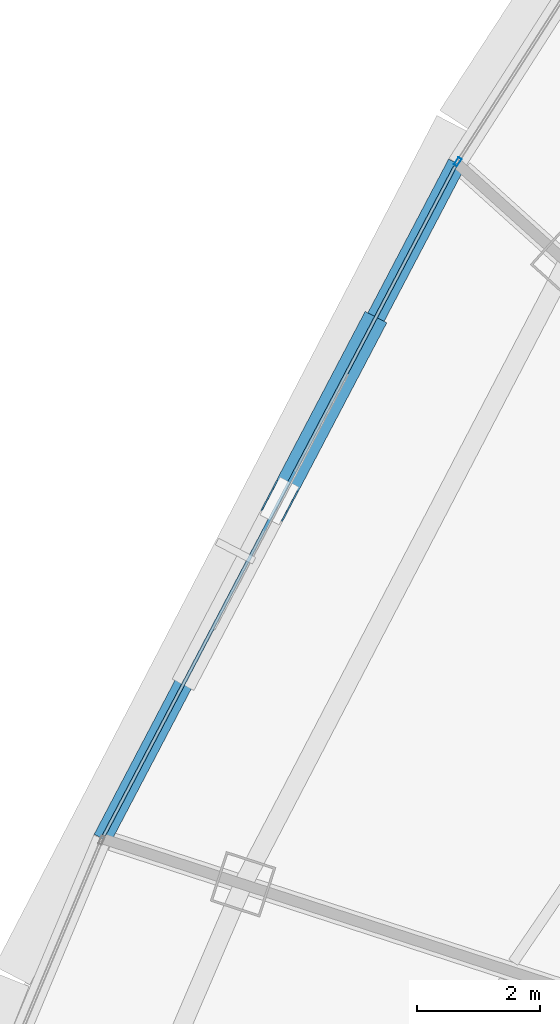
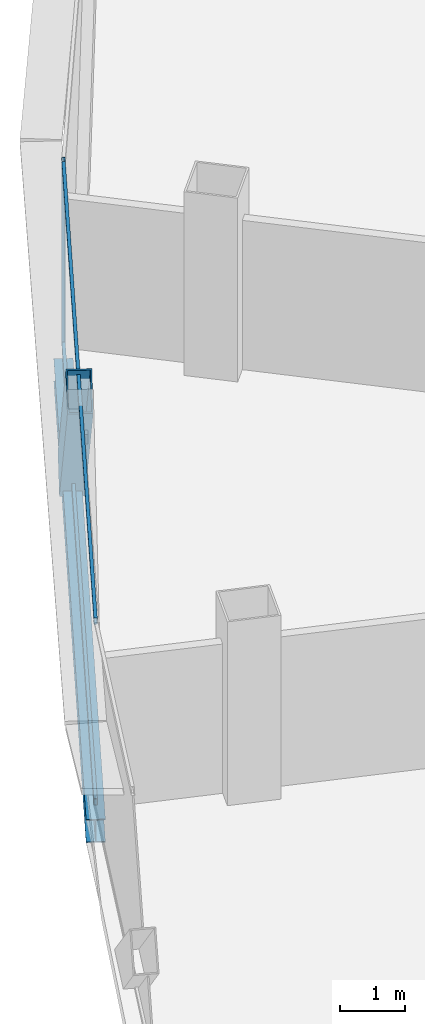
# One storey, part 15 of 36: 4 members, 1 beam, 2 elements without a shape of their own.
"""IFC4 building model written with IfcOpenShell, lengths in metres."""

import ifcopenshell
import ifcopenshell.guid

model = None  # the IFC model being written
_history = None  # IfcOwnerHistory: only IFC2X3 demands one
_inside = {}  # id of a spatial element -> (the spatial element, [elements in it])
_under = {}  # id of a project, library or spatial element -> (it, [spatial elements below it])
_declared = {}  # id of a project -> (the project, [libraries it declares])
_typed = {}  # id of a type object -> (the type object, [elements of that type])
_made_of = {}  # id of a material, layer set ... -> (it, [elements and type objects made of it])


def new_model(schema):
    """Start an empty IFC model of exactly this schema.

    Asked for "IFC4X3", IfcOpenShell would pick the latest addendum, in which some entities
    have other attributes; the version numbers below select the first issue.
    IFC2X3 requires an IfcOwnerHistory on every rooted entity: one is made here for all.
    """
    global model, _history
    if schema == "IFC4X3":
        model = ifcopenshell.file(schema_version=(4, 3, 0, 0))
    else:
        model = ifcopenshell.file(schema=schema)
    _inside.clear()
    _under.clear()
    _declared.clear()
    _typed.clear()
    _made_of.clear()
    _history = None
    if model.schema == "IFC2X3":
        org = make("IfcOrganization", Name="unknown")
        user = make(
            "IfcPersonAndOrganization",
            ThePerson=make("IfcPerson", FamilyName="unknown"),
            TheOrganization=org,
        )
        app = make(
            "IfcApplication",
            ApplicationDeveloper=org,
            Version="unknown",
            ApplicationFullName="unknown",
            ApplicationIdentifier="unknown",
        )
        _history = make(
            "IfcOwnerHistory",
            OwningUser=user,
            OwningApplication=app,
            ChangeAction="ADDED",
            CreationDate=0,
        )
    return model


def make(cls, **values):
    """One entity of the class cls with the attributes given. An attribute that is None is left unset."""
    return model.create_entity(
        cls, **{name: value for name, value in values.items() if value is not None}
    )


def rooted(cls, **values):
    """An entity with a GlobalId (a new one), such as an element, a storey or a relation."""
    return make(cls, GlobalId=ifcopenshell.guid.new(), OwnerHistory=_history, **values)


def si_unit(unit_type, name, prefix=None):
    """IfcSIUnit, for example si_unit("LENGTHUNIT", "METRE", prefix="MILLI")."""
    return make("IfcSIUnit", UnitType=unit_type, Prefix=prefix, Name=name)


def assignment(units):
    """IfcUnitAssignment: the units of a project."""
    return None if units is None else make("IfcUnitAssignment", Units=units)


def point(xyz):
    """IfcCartesianPoint."""
    return None if xyz is None else make("IfcCartesianPoint", Coordinates=xyz)


def direction(xyz):
    """IfcDirection."""
    return None if xyz is None else make("IfcDirection", DirectionRatios=xyz)


def frame(location, z_axis=None, x_axis=None):
    """IfcAxis2Placement3D, a coordinate frame: its origin and axes. An axis left out is left unset."""
    return make(
        "IfcAxis2Placement3D",
        Location=point(location),
        Axis=direction(z_axis),
        RefDirection=direction(x_axis),
    )


def frame_2d(location, x_axis=None):
    """IfcAxis2Placement2D, a coordinate frame in the plane: its origin and x axis."""
    return make(
        "IfcAxis2Placement2D", Location=point(location), RefDirection=direction(x_axis)
    )


def origin():
    """The frame at (0, 0, 0) with its axes left unset."""
    return frame((0.0, 0.0, 0.0))


def origin_2d():
    """The frame at (0, 0) in the plane with its x axis left unset."""
    return frame_2d((0.0, 0.0))


def place(relative_to, where):
    """IfcLocalPlacement: puts the frame where relative to a parent placement (None: the world)."""
    return make(
        "IfcLocalPlacement", PlacementRelTo=relative_to, RelativePlacement=where
    )


def context(
    kind, dimensions, precision=None, world=None, true_north=None, identifier=None
):
    """IfcGeometricRepresentationContext, for example the 3D "Model" context."""
    return make(
        "IfcGeometricRepresentationContext",
        ContextIdentifier=identifier,
        ContextType=kind,
        CoordinateSpaceDimension=dimensions,
        Precision=precision,
        WorldCoordinateSystem=world,
        TrueNorth=true_north,
    )


def subcontext(parent, identifier, kind, view, scale=None):
    """IfcGeometricRepresentationSubContext, for example "Body" below "Model"."""
    return make(
        "IfcGeometricRepresentationSubContext",
        ContextIdentifier=identifier,
        ContextType=kind,
        ParentContext=parent,
        TargetScale=scale,
        TargetView=view,
    )


def project(units=None, contexts=None):
    """IfcProject with its units and contexts."""
    return rooted(
        "IfcProject",
        Name="project",
        RepresentationContexts=contexts,
        UnitsInContext=assignment(units),
    )


def spatial(cls, under=None, at=None, **own):
    """A site, building, storey or space (cls), placed at a placement, below another one or the project."""
    s = rooted(cls, ObjectPlacement=at, **own)
    if under is not None:
        _under.setdefault(under.id(), (under, []))[1].append(s)
    return s


def profile(cls, at=None, kind="AREA", **sizes):
    """A parametric profile (cls). Its sizes go by their IFC names, for example OverallWidth=200.0."""
    return make(cls, ProfileType=kind, Position=at, **sizes)


def hollow_rectangle(**sizes):
    """IfcRectangleHollowProfileDef."""
    return profile("IfcRectangleHollowProfileDef", **sizes)


def i_section(**sizes):
    """IfcIShapeProfileDef."""
    return profile("IfcIShapeProfileDef", **sizes)


def extrude(swept, where, along, depth):
    """IfcExtrudedAreaSolid: the profile swept, set in the frame where, extruded along a direction by depth."""
    return make(
        "IfcExtrudedAreaSolid",
        SweptArea=swept,
        Position=where,
        ExtrudedDirection=direction(along),
        Depth=depth,
    )


def shape(context_of_items, identifier, shape_type, items):
    """IfcShapeRepresentation: the items that make up one representation, for example the "Body"."""
    return make(
        "IfcShapeRepresentation",
        ContextOfItems=context_of_items,
        RepresentationIdentifier=identifier,
        RepresentationType=shape_type,
        Items=items,
    )


def source(mapping_origin, context_of_items, identifier, shape_type, items):
    """IfcRepresentationMap: a shape defined once, which mapped items show again and again."""
    return make(
        "IfcRepresentationMap",
        MappingOrigin=mapping_origin,
        MappedRepresentation=shape(context_of_items, identifier, shape_type, items),
    )


def transform(
    local_origin,
    x_axis=None,
    y_axis=None,
    z_axis=None,
    scale=None,
    scale2=None,
    scale3=None,
    uniform=True,
):
    """IfcCartesianTransformationOperator3D, or its non-uniform kind. x_axis, y_axis, z_axis: its Axis1, 2, 3."""
    if uniform:
        return make(
            "IfcCartesianTransformationOperator3D",
            Axis1=direction(x_axis),
            Axis2=direction(y_axis),
            LocalOrigin=point(local_origin),
            Scale=scale,
            Axis3=direction(z_axis),
        )
    return make(
        "IfcCartesianTransformationOperator3DnonUniform",
        Axis1=direction(x_axis),
        Axis2=direction(y_axis),
        LocalOrigin=point(local_origin),
        Scale=scale,
        Axis3=direction(z_axis),
        Scale2=scale2,
        Scale3=scale3,
    )


def mapped(mapping_source, mapping_target):
    """IfcMappedItem: shows the shape of a source again, moved by a transform."""
    return make(
        "IfcMappedItem", MappingSource=mapping_source, MappingTarget=mapping_target
    )


def material(Name=None, Category=None):
    """IfcMaterial."""
    return make("IfcMaterial", Name=Name, Category=Category)


def layer(
    of_material, thickness, ventilated=None, Name=None, Category=None, Priority=None
):
    """IfcMaterialLayer: one layer of a wall or slab, of a material (None: an air gap)."""
    return make(
        "IfcMaterialLayer",
        Material=of_material,
        LayerThickness=thickness,
        IsVentilated=ventilated,
        Name=Name,
        Category=Category,
        Priority=Priority,
    )


def layer_set(layers, Name=None):
    """IfcMaterialLayerSet."""
    return make("IfcMaterialLayerSet", MaterialLayers=layers, LayerSetName=Name)


def material_profile(
    of_material, cross_section, Name=None, Category=None, Priority=None
):
    """IfcMaterialProfile: a cross section and its material."""
    return make(
        "IfcMaterialProfile",
        Name=Name,
        Material=of_material,
        Profile=cross_section,
        Priority=Priority,
        Category=Category,
    )


def profile_set(profiles, Name=None, composite=None):
    """IfcMaterialProfileSet."""
    return make(
        "IfcMaterialProfileSet",
        Name=Name,
        MaterialProfiles=profiles,
        CompositeProfile=composite,
    )


def made_of(thing, what):
    """Note that an element or type object is made of a material, layer set ...; save() writes the relation."""
    if what is not None:
        _made_of.setdefault(what.id(), (what, []))[1].append(thing)
    return thing


def type_object(cls, material=None, **own):
    """A type object (cls), such as IfcWallType, which elements share."""
    return made_of(rooted(cls, **own), material)


def element(
    cls,
    number,
    at=None,
    inside=None,
    cuts=None,
    type_object=None,
    material=None,
    context=None,
    identifier="Body",
    shape_type=None,
    held_by="IfcProductDefinitionShape",
    body=None,
    shapes=None,
    **own,
):
    """One element of the class cls, such as IfcWall. Its Tag is "e" and its number.

    at: its placement. inside: the storey or other place that contains it. cuts: it is an
    opening in that element (IfcRelVoidsElement). A single representation is given by context,
    identifier, shape_type and body (its items); several are given by shapes. held_by: the class
    of the entity that holds the representations. save() writes the other relations.
    """
    e = rooted(cls, Tag="e%d" % number, ObjectPlacement=at, **own)
    if body is not None:
        shapes = [shape(context, identifier, shape_type, body)]
    if shapes is not None:
        e.Representation = make(held_by, Representations=shapes)
    if inside is not None:
        _inside.setdefault(inside.id(), (inside, []))[1].append(e)
    if cuts is not None:
        rooted(
            "IfcRelVoidsElement", RelatingBuildingElement=cuts, RelatedOpeningElement=e
        )
    if type_object is not None:
        _typed.setdefault(type_object.id(), (type_object, []))[1].append(e)
    return made_of(e, material)


def aggregate(whole, parts):
    """IfcRelAggregates: a whole, such as a stair, and the parts it consists of."""
    return rooted("IfcRelAggregates", RelatingObject=whole, RelatedObjects=parts)


def save(model, path):
    """Write the relations noted so far, then the file.

    IfcRelAggregates (storeys below a building ...), IfcRelContainedInSpatialStructure (elements
    in a storey), IfcRelDefinesByType, IfcRelAssociatesMaterial and IfcRelDeclares: one each for
    every whole, place, type object, material and project.
    """
    for whole, parts in _under.values():
        aggregate(whole, parts)
    for where, things in _inside.values():
        rooted(
            "IfcRelContainedInSpatialStructure",
            RelatedElements=things,
            RelatingStructure=where,
        )
    for kind, things in _typed.values():
        rooted("IfcRelDefinesByType", RelatedObjects=things, RelatingType=kind)
    for what, things in _made_of.values():
        rooted("IfcRelAssociatesMaterial", RelatedObjects=things, RelatingMaterial=what)
    for by, libraries in _declared.values():
        rooted("IfcRelDeclares", RelatingContext=by, RelatedDefinitions=libraries)
    model.write(path)


model = new_model("IFC4")

# Units and contexts
model_context = context("Model", 3, precision=1e-05, world=origin(), true_north=direction((0.0, 1.0)))
body_context = subcontext(model_context, "Body", "Model", "MODEL_VIEW")
ifc_project = project(units=[si_unit("LENGTHUNIT", "METRE"), si_unit("AREAUNIT", "SQUARE_METRE"), si_unit("VOLUMEUNIT", "CUBIC_METRE"), si_unit("PLANEANGLEUNIT", "RADIAN"), si_unit("MASSUNIT", "GRAM", prefix="KILO"), si_unit("THERMODYNAMICTEMPERATUREUNIT", "KELVIN"), si_unit("POWERUNIT", "WATT")], contexts=[model_context])

# Site, building, storey
site_placement = place(None, origin())
site = spatial("IfcSite", under=ifc_project, at=site_placement, CompositionType="ELEMENT")
building_placement = place(site_placement, origin())
building = spatial("IfcBuilding", under=site, at=building_placement, Name="Yunzhuo Pagoda Commons", CompositionType="ELEMENT")
storey_placement = place(building_placement, frame((0.0, 0.0, 244.530029296875)))
storey = spatial("IfcBuildingStorey", under=building, at=storey_placement, Name="L61", CompositionType="ELEMENT", Elevation=244.530029296875)

# Beam
ifc_material_1 = material(Name="Structural steel Q355B", Category="steel")
ifc_material_profile_1 = material_profile(ifc_material_1, i_section(OverallWidth=0.300048828125, OverallDepth=0.43994140625, WebThickness=0.010986328125, FlangeThickness=0.01806640625, at=origin_2d()), Name="Structural steel Q355B")
ifc_profile_set_1 = profile_set([ifc_material_profile_1], Name="Structural steel Q355B")
beam_type = type_object("IfcBeamType", Name="B-SP2 Beam HM 440x300x11x18", PredefinedType="BEAM", material=ifc_profile_set_1)
shared_shape_1 = source(origin(), body_context, "Body", "SweptSolid", [
    extrude(i_section(OverallWidth=0.300048828125, OverallDepth=0.43994140625, WebThickness=0.010986328125, FlangeThickness=0.01806640625, at=origin_2d()), origin(), (0.0, 0.0, 1.0), 12.444091796875),
])
beam_placement = place(storey_placement, frame((25.58837890625, 53.879638671875, -0.47998046875), z_axis=(-0.464752383857, -0.885440693496, 0.0), x_axis=(0.885440693496, -0.464752383857, 0.0)))
element("IfcBeam", 1, at=beam_placement, inside=storey, type_object=beam_type, Name="L61 facade edge spandrel beam F3.2", PredefinedType="BEAM", context=body_context, shape_type="MappedRepresentation", body=[
    mapped(shared_shape_1, transform((0.0, 0.0, 0.0), scale=1.0)),
])

# Member
ifc_material_profile_2 = material_profile(ifc_material_1, hollow_rectangle(XDim=0.39990234375, YDim=0.719970703125, WallThickness=0.02392578125, at=origin_2d()), Name="Structural steel Q355B")
ifc_profile_set_2 = profile_set([ifc_material_profile_2], Name="Structural steel Q355B")
member_type_1 = type_object("IfcMemberType", Name="M-DL2 Brace BOX 720x400x24", PredefinedType="BRACE", material=ifc_profile_set_2)
shared_shape_2 = source(origin(), body_context, "Body", "SweptSolid", [
    extrude(hollow_rectangle(XDim=0.39990234375, YDim=0.719970703125, WallThickness=0.02392578125, at=origin_2d()), origin(), (0.0, 0.0, 1.0), 4.85693359375),
])
member_1_placement = place(storey_placement, frame((24.142333984375, 51.125, -0.259765625), z_axis=(-0.297680826008, -0.567161897981, 0.767928061283), x_axis=(0.885448766828, -0.464737002318, 0.0)))
element("IfcMember", 2, at=member_1_placement, inside=storey, type_object=member_type_1, Name="L61 facade diamond brace F3.2L", PredefinedType="BRACE", context=body_context, shape_type="MappedRepresentation", body=[
    mapped(shared_shape_2, transform((0.0, 0.0, 0.0), scale=1.0)),
])

# Curtain wall, member
ifc_material_2 = material(Name="Anodized aluminium 6063-T6", Category="aluminium")
ifc_layer = layer(ifc_material_2, 0.139892578125)
ifc_layer_set = layer_set([ifc_layer], Name="Anodized aluminium 6063-T6")
curtain_wall_type = type_object("IfcCurtainWallType", Name="CW-HI High-Zone Ribbon Curtain Wall", PredefinedType="NOTDEFINED", material=ifc_layer_set)
curtain_wall_1_placement = place(storey_placement, origin())
curtain_wall_1 = element("IfcCurtainWall", 3, at=curtain_wall_1_placement, inside=storey, type_object=curtain_wall_type, Name="L61 curtain wall CW-L61-F3B2", PredefinedType="NOTDEFINED")
ifc_material_profile_3 = material_profile(ifc_material_2, hollow_rectangle(XDim=0.06005859375, YDim=0.139892578125, WallThickness=0.00341796875, at=origin_2d()), Name="Anodized aluminium 6063-T6")
ifc_profile_set_3 = profile_set([ifc_material_profile_3], Name="Anodized aluminium 6063-T6")
member_type_2 = type_object("IfcMemberType", Name="CW-HI-M Mullion RHS 140x60x3.5", PredefinedType="MULLION", material=ifc_profile_set_3)
shared_shape_3 = source(origin(), body_context, "Body", "SweptSolid", [
    extrude(hollow_rectangle(XDim=0.06005859375, YDim=0.139892578125, WallThickness=0.00341796875, at=origin_2d()), origin(), (0.0, 0.0, 1.0), 3.469970703125),
])
member_2_placement = place(storey_placement, frame((25.6044921875, 53.90478515625, 0.0), z_axis=(0.0, 0.0, 1.0), x_axis=(0.841269037614, -0.540616690782, 0.0)))
member_2 = element("IfcMember", 4, at=member_2_placement, type_object=member_type_2, Name="CW mullion 2", PredefinedType="MULLION", context=body_context, shape_type="MappedRepresentation", body=[
    mapped(shared_shape_3, transform((0.0, 0.0, 0.0), scale=1.0)),
])
aggregate(curtain_wall_1, [member_2])

# Curtain wall, members
curtain_wall_2_placement = place(storey_placement, origin())
curtain_wall_2 = element("IfcCurtainWall", 5, at=curtain_wall_2_placement, inside=storey, type_object=curtain_wall_type, Name="L61 curtain wall CW-L61-F3B3", PredefinedType="NOTDEFINED")
ifc_material_profile_4 = material_profile(ifc_material_2, hollow_rectangle(XDim=0.054931640625, YDim=0.1201171875, WallThickness=0.00341796875, at=origin_2d()), Name="Anodized aluminium 6063-T6")
ifc_profile_set_4 = profile_set([ifc_material_profile_4], Name="Anodized aluminium 6063-T6")
member_type_3 = type_object("IfcMemberType", Name="CW-HI-T Transom RHS 120x55x3.5", PredefinedType="USERDEFINED", material=ifc_profile_set_4)
shared_shape_4 = source(origin(), body_context, "Body", "SweptSolid", [
    extrude(hollow_rectangle(XDim=0.054931640625, YDim=0.1201171875, WallThickness=0.00341796875, at=origin_2d()), origin(), (0.0, 0.0, 1.0), 12.323974609375),
])
member_3_placement = place(storey_placement, frame((25.560302734375, 53.826416015625, 0.027587890625), z_axis=(-0.464750035495, -0.885441926107, 0.0), x_axis=(0.885441926107, -0.464750035495, 0.0)))
member_3 = element("IfcMember", 6, at=member_3_placement, type_object=member_type_3, Name="CW transom 1.1", ObjectType="TRANSOM", PredefinedType="USERDEFINED", context=body_context, shape_type="MappedRepresentation", body=[
    mapped(shared_shape_4, transform((0.0, 0.0, 0.0), scale=1.0)),
])
member_4_placement = place(storey_placement, frame((25.560302734375, 53.826416015625, 3.4423828125), z_axis=(-0.464750035495, -0.885441926107, 0.0), x_axis=(0.885441926107, -0.464750035495, 0.0)))
member_4 = element("IfcMember", 7, at=member_4_placement, type_object=member_type_3, Name="CW transom 1.2", ObjectType="TRANSOM", PredefinedType="USERDEFINED", context=body_context, shape_type="MappedRepresentation", body=[
    mapped(shared_shape_4, transform((0.0, 0.0, 0.0), scale=1.0)),
])
aggregate(curtain_wall_2, [member_3, member_4])

save(model, "model.ifc")
